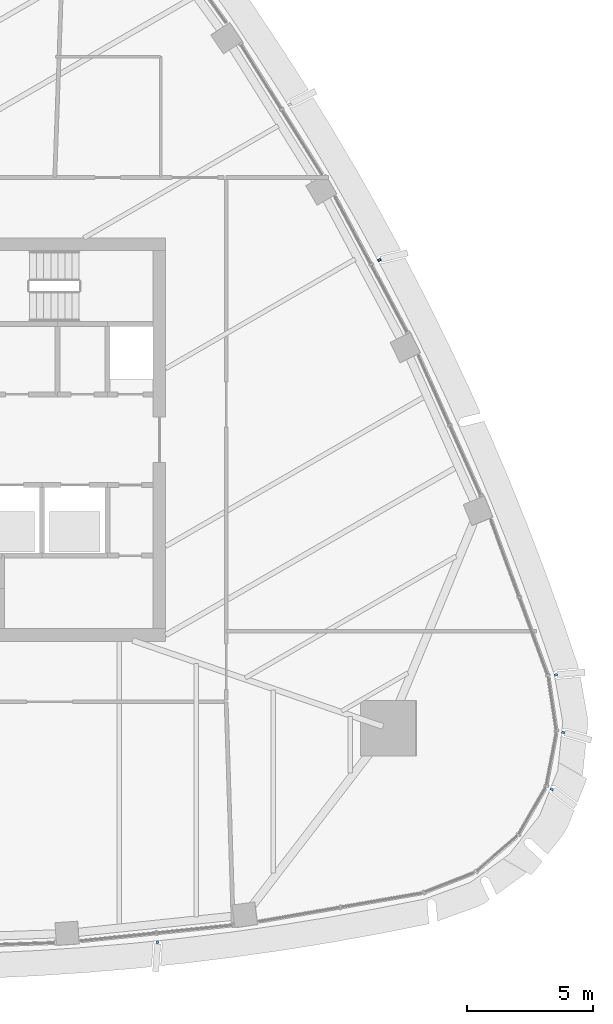
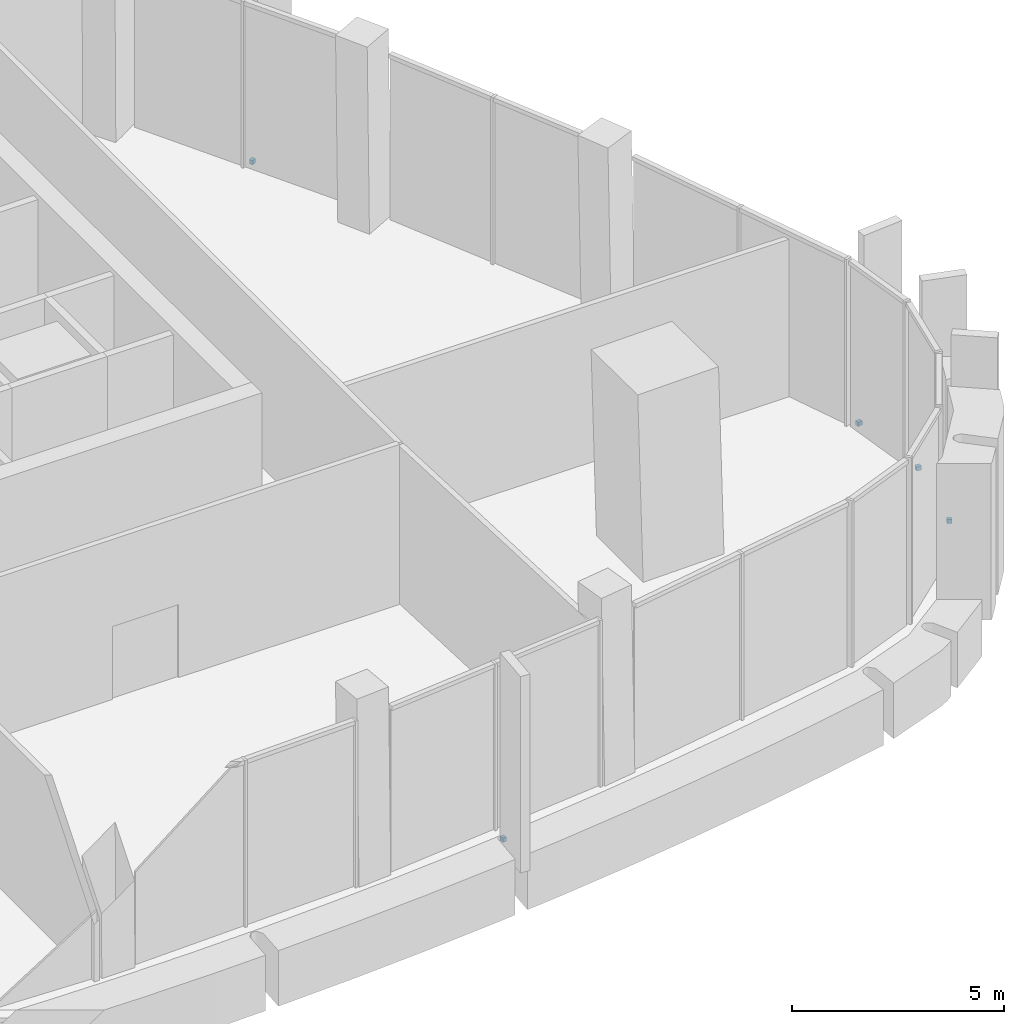
# One storey, part 13 of 19: 5 discrete accessories.
"""IFC4 building model written with IfcOpenShell, lengths in metres."""

from ifc_helpers import new_model, si_unit, direction, frame, origin, origin_2d, place, context, subcontext, project, spatial, rectangle, extrude, material, type_object, element, save


model = new_model("IFC4")

# Units and contexts
model_context = context("Model", 3, precision=1e-05, world=origin(), true_north=direction((0.0, 1.0)))
body_context = subcontext(model_context, "Body", "Model", "MODEL_VIEW")
ifc_project = project(units=[si_unit("LENGTHUNIT", "METRE"), si_unit("AREAUNIT", "SQUARE_METRE"), si_unit("VOLUMEUNIT", "CUBIC_METRE"), si_unit("PLANEANGLEUNIT", "RADIAN"), si_unit("MASSUNIT", "GRAM", prefix="KILO")], contexts=[model_context])

# Site, building, storey
site_placement = place(None, origin())
site = spatial("IfcSite", under=ifc_project, at=site_placement, CompositionType="ELEMENT")
building_placement = place(site_placement, origin())
building = spatial("IfcBuilding", under=site, at=building_placement, Name="Sierra Prisma Convention Tower", CompositionType="ELEMENT")
storey_placement = place(building_placement, frame((0.0, 0.0, 319.0)))
storey = spatial("IfcBuildingStorey", under=building, at=storey_placement, Name="L73", CompositionType="ELEMENT", Elevation=319.0)

# Discrete accessories
ifc_material = material(Name="Stainless steel 316", Category="steel")
discrete_accessory_type = type_object("IfcDiscreteAccessoryType", Name="Fin bracket", PredefinedType="BRACKET", material=ifc_material)
for number, where, z_axis, x_axis, name in (
    (1, (10.676025390625, -19.939697265625, -0.135009765625), (0.0, 0.0, 1.0), (0.10348706024, -0.994630800027, 0.0), "Fin bracket L73.14 base"),
    (2, (26.3203125, -13.8701171875, -0.135009765625), (0.0, 0.0, 1.0), (0.927314546022, -0.374282958115, 0.0), "Fin bracket L73.21 base"),
    (3, (26.773193359375, -11.61669921875, -0.135009765625), (0.0, 0.0, 1.0), (0.994630800027, -0.10348706024, 0.0), "Fin bracket L73.22 base"),
    (4, (26.482421875, -9.331298828125, -0.135009765625), (0.0, 0.0, 1.0), (0.984503213768, 0.175366536376, 0.0), "Fin bracket L73.23 base"),
    (5, (19.477294921875, 7.130615234375, -0.135009765625), (0.0, 0.0, 1.0), (0.879814558432, 0.475317097075, 0.0), "Fin bracket L73.30 base"),
):
    element("IfcDiscreteAccessory", number, at=place(storey_placement, frame(where, z_axis=z_axis, x_axis=x_axis)), inside=storey, type_object=discrete_accessory_type, Name=name, PredefinedType="BRACKET", context=body_context, shape_type="SweptSolid", body=[
        extrude(rectangle(XDim=0.1201171875, YDim=0.10009765625, at=origin_2d()), origin(), (0.0, 0.0, 1.0), 0.1201171875),
    ])

save(model, "model.ifc")
